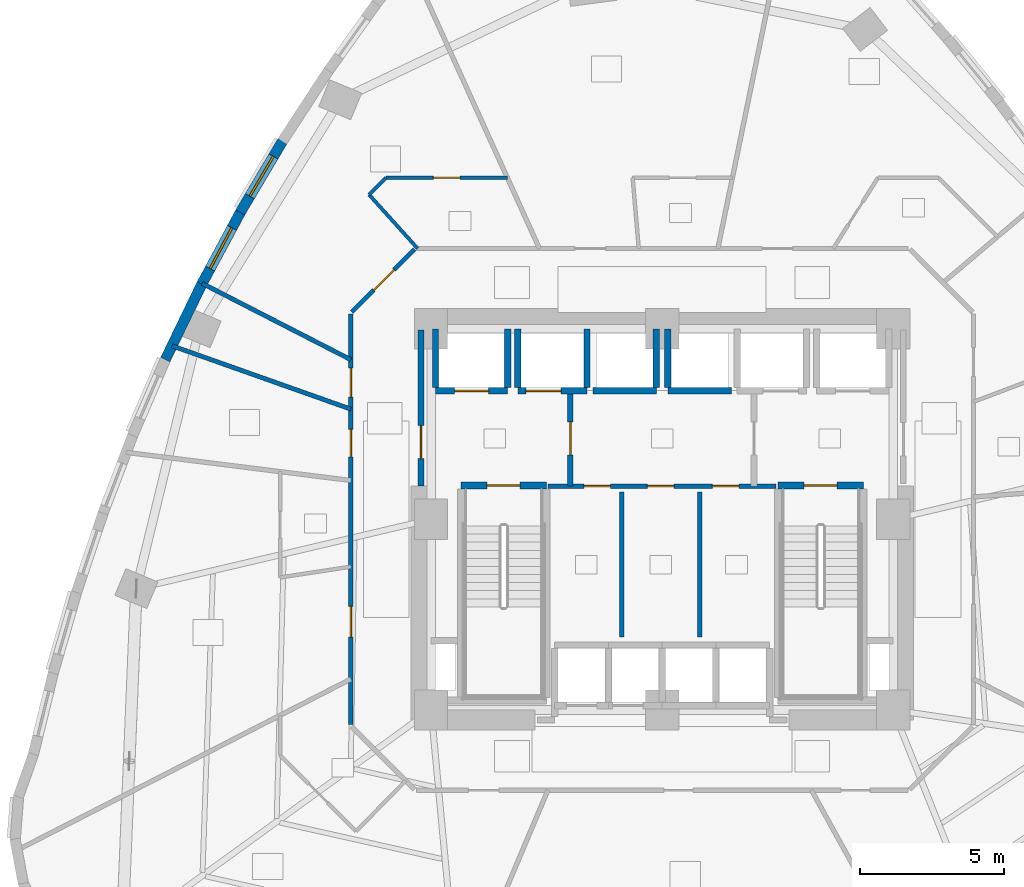
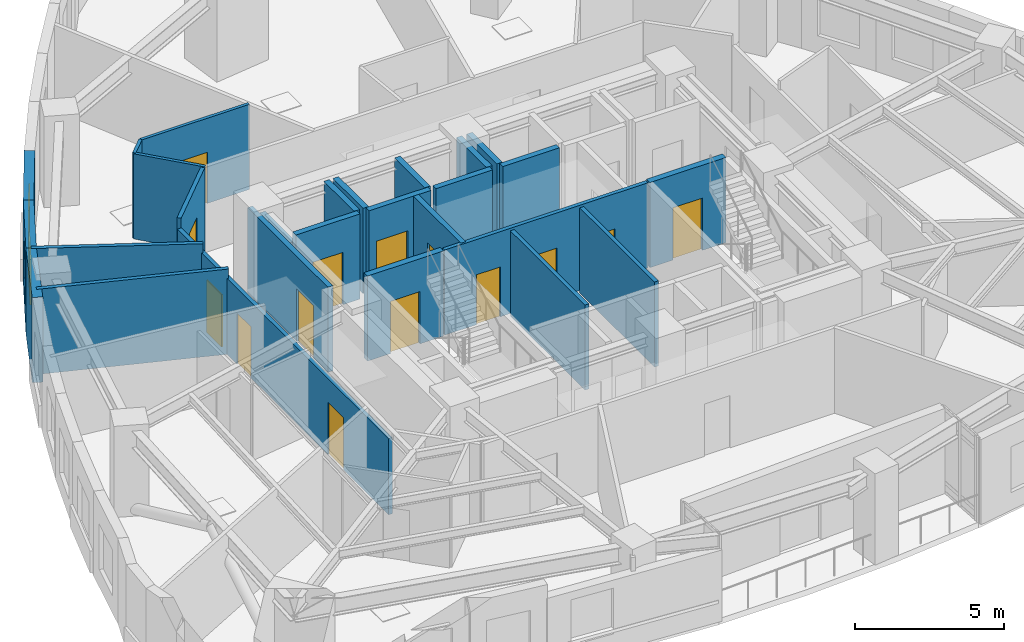
# One storey, part 6 of 11: 27 walls, 14 doors, 2 windows, 16 openings.
"""IFC4 building model written with IfcOpenShell, lengths in metres."""

from ifc_helpers import new_model, si_unit, direction, frame, frame_2d, origin, place, context, subcontext, project, spatial, rectangle, extrude, material, layer, layer_set, type_object, element, fill, save


model = new_model("IFC4")

# Units and contexts
model_context = context("Model", 3, precision=1e-05, world=origin(), true_north=direction((0.0, 1.0)))
body_context = subcontext(model_context, "Body", "Model", "MODEL_VIEW")
ifc_project = project(units=[si_unit("LENGTHUNIT", "METRE"), si_unit("AREAUNIT", "SQUARE_METRE"), si_unit("VOLUMEUNIT", "CUBIC_METRE"), si_unit("PLANEANGLEUNIT", "RADIAN"), si_unit("MASSUNIT", "GRAM", prefix="KILO")], contexts=[model_context])

# Site, building, storey
site_placement = place(None, origin())
site = spatial("IfcSite", under=ifc_project, at=site_placement, CompositionType="ELEMENT")
building_placement = place(site_placement, origin())
building = spatial("IfcBuilding", under=site, at=building_placement, Name="Ndelora Gate Hotel", CompositionType="ELEMENT")
storey_placement = place(building_placement, frame((0.0, 0.0, 49.25)))
storey = spatial("IfcBuildingStorey", under=building, at=storey_placement, Name="L11", CompositionType="ELEMENT", Elevation=49.25)

# Wall, opening, window
ifc_material_1 = material(Name="Clay Brick Masonry", Category="masonry")
ifc_layer_1 = layer(ifc_material_1, 0.360107421875)
ifc_layer_set_1 = layer_set([ifc_layer_1], Name="Clay Brick Masonry")
wall_type_1 = type_object("IfcWallType", Name="WL-BRICK-360", PredefinedType="SOLIDWALL", material=ifc_layer_set_1)
wall_1_placement = place(storey_placement, frame((-14.61279296875, 10.62646484375, 0.0), z_axis=(0.0, 0.0, 1.0), x_axis=(0.510091648533, 0.86012005563, 0.0)))
wall_1 = element("IfcWall", 1, at=wall_1_placement, inside=storey, type_object=wall_type_1, Name="L11 Tower Brick Pier-and-Spandrel Wall TWR-13", PredefinedType="SOLIDWALL", context=body_context, shape_type="SweptSolid", body=[
    extrude(rectangle(XDim=2.914794921875, YDim=0.360107421875, at=frame_2d((1.45751953125, 0.0))), origin(), (0.0, 0.0, 1.0), 3.5),
])
opening_1_placement = place(wall_1_placement, frame((0.657470703125, 0.0, 0.719970703125)))
opening_1 = element("IfcOpeningElement", 2, at=opening_1_placement, cuts=wall_1, Name="Opening W03", PredefinedType="OPENING", context=body_context, shape_type="SweptSolid", body=[
    extrude(rectangle(XDim=1.60009765625, YDim=1.8798828125, at=frame_2d((0.800048828125, 0.93994140625))), frame((0.0, 0.18994140625, 0.0), z_axis=(0.0, -1.0, 0.0), x_axis=(1.0, 0.0, 0.0)), (0.0, 0.0, 1.0), 0.380126953125),
])
ifc_material_2 = material(Name="Insulated Low-E Double Glazing in Bronze Aluminium Frame", Category="aluminium")
window_type_1 = type_object("IfcWindowType", Name="WN-CORN-2100", PartitioningType="SINGLE_PANEL", PredefinedType="WINDOW", material=ifc_material_2)
window_1_placement = place(opening_1_placement, origin())
window_1 = element("IfcWindow", 3, at=window_1_placement, inside=storey, type_object=window_type_1, Name="L11 Deep-Set Brick-Pier Window W03", OverallHeight=1.8798828125, OverallWidth=1.60009765625, PartitioningType="SINGLE_PANEL", PredefinedType="WINDOW", context=body_context, shape_type="SweptSolid", body=[
    extrude(rectangle(XDim=1.60009765625, YDim=1.8798828125, at=frame_2d((0.800048828125, 0.93994140625))), frame((0.0, 0.030029296875, 0.0), z_axis=(0.0, -1.0, 0.0), x_axis=(1.0, 0.0, 0.0)), (0.0, 0.0, 1.0), 0.06005859375),
])
fill(opening_1, window_1)

wall_2_placement = place(storey_placement, frame((-15.96435546875, 8.106201171875, 0.0), z_axis=(0.0, 0.0, 1.0), x_axis=(0.472903509286, 0.881114221259, 0.0)))
wall_2 = element("IfcWall", 4, at=wall_2_placement, inside=storey, type_object=wall_type_1, Name="L11 Tower Brick Pier-and-Spandrel Wall TWR-14", PredefinedType="SOLIDWALL", context=body_context, shape_type="SweptSolid", body=[
    extrude(rectangle(XDim=2.90966796875, YDim=0.360107421875, at=frame_2d((1.454833984375, 0.0))), origin(), (0.0, 0.0, 1.0), 3.5),
])
opening_2_placement = place(wall_2_placement, frame((0.65478515625, 0.0, 0.719970703125)))
opening_2 = element("IfcOpeningElement", 5, at=opening_2_placement, cuts=wall_2, Name="Opening W01", PredefinedType="OPENING", context=body_context, shape_type="SweptSolid", body=[
    extrude(rectangle(XDim=1.60009765625, YDim=1.8798828125, at=frame_2d((0.800048828125, 0.93994140625))), frame((0.0, 0.18994140625, 0.0), z_axis=(0.0, -1.0, 0.0), x_axis=(1.0, 0.0, 0.0)), (0.0, 0.0, 1.0), 0.380126953125),
])
window_type_2 = type_object("IfcWindowType", Name="WN-DEEP-1600", PartitioningType="SINGLE_PANEL", PredefinedType="WINDOW", material=ifc_material_2)
window_2_placement = place(opening_2_placement, origin())
window_2 = element("IfcWindow", 6, at=window_2_placement, inside=storey, type_object=window_type_2, Name="L11 Deep-Set Brick-Pier Window W01", OverallHeight=1.8798828125, OverallWidth=1.60009765625, PartitioningType="SINGLE_PANEL", PredefinedType="WINDOW", context=body_context, shape_type="SweptSolid", body=[
    extrude(rectangle(XDim=1.60009765625, YDim=1.8798828125, at=frame_2d((0.800048828125, 0.93994140625))), frame((0.0, 0.030029296875, 0.0), z_axis=(0.0, -1.0, 0.0), x_axis=(1.0, 0.0, 0.0)), (0.0, 0.0, 1.0), 0.06005859375),
])
fill(opening_2, window_2)

# Wall
wall_3_placement = place(storey_placement, frame((-17.206787109375, 5.530517578125, 0.0), z_axis=(0.0, 0.0, 1.0), x_axis=(0.434819461164, 0.900517649018, 0.0)))
element("IfcWall", 7, at=wall_3_placement, inside=storey, type_object=wall_type_1, Name="L11 Tower Brick Pier-and-Spandrel Wall TWR-15", PredefinedType="SOLIDWALL", context=body_context, shape_type="SweptSolid", body=[
    extrude(rectangle(XDim=2.90966796875, YDim=0.360107421875, at=frame_2d((1.454833984375, 0.0))), origin(), (0.0, 0.0, 1.0), 3.5),
])

# Wall, opening, door
ifc_material_3 = material(Name="Concrete C40/50", Category="concrete")
ifc_layer_2 = layer(ifc_material_3, 0.199951171875)
ifc_layer_set_2 = layer_set([ifc_layer_2], Name="Concrete C40/50")
wall_type_2 = type_object("IfcWallType", Name="WL-FIRE-200", PredefinedType="PARTITIONING", material=ifc_layer_set_2)
wall_4_placement = place(storey_placement, frame((-3.179931640625, 1.14990234375, 0.0), z_axis=(0.0, 0.0, 1.0), x_axis=(0.0, 1.0, 0.0)))
wall_4 = element("IfcWall", 8, at=wall_4_placement, inside=storey, type_object=wall_type_2, Name="L11 Interior Wall IW-2", PredefinedType="PARTITIONING", context=body_context, shape_type="SweptSolid", body=[
    extrude(rectangle(XDim=3.300048828125, YDim=0.199951171875, at=frame_2d((1.64990234375, 0.0))), origin(), (0.0, 0.0, 1.0), 3.5),
])
opening_3_placement = place(wall_4_placement, frame((1.080078125, 0.0, 0.0)))
opening_3 = element("IfcOpeningElement", 9, at=opening_3_placement, cuts=wall_4, Name="Opening FD1", PredefinedType="OPENING", context=body_context, shape_type="SweptSolid", body=[
    extrude(rectangle(XDim=1.14990234375, YDim=2.14990234375, at=frame_2d((0.574951171875, 1.074951171875))), frame((0.0, 0.10986328125, 0.0), z_axis=(0.0, -1.0, 0.0), x_axis=(1.0, 0.0, 0.0)), (0.0, 0.0, 1.0), 0.219970703125),
])
ifc_material_4 = material(Name="Fire-Rated Timber-Veneer Steel Core", Category="steel")
door_type_1 = type_object("IfcDoorType", Name="DR-FD60", OperationType="SINGLE_SWING_LEFT", PredefinedType="DOOR", material=ifc_material_4)
door_1_placement = place(opening_3_placement, origin())
door_1 = element("IfcDoor", 10, at=door_1_placement, inside=storey, type_object=door_type_1, Name="L11 Firefighting Lobby West Door", OperationType="SINGLE_SWING_RIGHT", OverallHeight=2.14990234375, OverallWidth=1.14990234375, PredefinedType="DOOR", context=body_context, shape_type="SweptSolid", body=[
    extrude(rectangle(XDim=1.14990234375, YDim=2.14990234375, at=frame_2d((0.574951171875, 1.074951171875))), frame((0.0, 0.02490234375, 0.0), z_axis=(0.0, -1.0, 0.0), x_axis=(1.0, 0.0, 0.0)), (0.0, 0.0, 1.0), 0.050048828125),
])
fill(opening_3, door_1)

wall_5_placement = place(storey_placement, frame((-8.35009765625, 1.14990234375, 0.0), z_axis=(0.0, 0.0, 1.0), x_axis=(0.0, 1.0, 0.0)))
wall_5 = element("IfcWall", 11, at=wall_5_placement, inside=storey, type_object=wall_type_2, Name="L11 Interior Wall IW-2", PredefinedType="PARTITIONING", context=body_context, shape_type="SweptSolid", body=[
    extrude(rectangle(XDim=5.400146484375, YDim=0.199951171875, at=frame_2d((2.7001953125, 0.0))), origin(), (0.0, 0.0, 1.0), 3.5),
])
opening_4_placement = place(wall_5_placement, frame((0.949951171875, 0.0, 0.0)))
opening_4 = element("IfcOpeningElement", 12, at=opening_4_placement, cuts=wall_5, Name="Opening FD1", PredefinedType="OPENING", context=body_context, shape_type="SweptSolid", body=[
    extrude(rectangle(XDim=1.14990234375, YDim=2.14990234375, at=frame_2d((0.574951171875, 1.074951171875))), frame((0.0, 0.10986328125, 0.0), z_axis=(0.0, -1.0, 0.0), x_axis=(1.0, 0.0, 0.0)), (0.0, 0.0, 1.0), 0.219970703125),
])
door_2_placement = place(opening_4_placement, origin())
door_2 = element("IfcDoor", 13, at=door_2_placement, inside=storey, type_object=door_type_1, Name="L11 Firefighting Lobby West Corridor Door", OperationType="SINGLE_SWING_LEFT", OverallHeight=2.14990234375, OverallWidth=1.14990234375, PredefinedType="DOOR", context=body_context, shape_type="SweptSolid", body=[
    extrude(rectangle(XDim=1.14990234375, YDim=2.14990234375, at=frame_2d((0.574951171875, 1.074951171875))), frame((0.0, 0.02490234375, 0.0), z_axis=(0.0, -1.0, 0.0), x_axis=(1.0, 0.0, 0.0)), (0.0, 0.0, 1.0), 0.050048828125),
])
fill(opening_4, door_2)

# Wall, openings, doors
ifc_material_5 = material(Name="Fire-Rated Gypsum Stud Partition", Category="gypsum")
ifc_layer_3 = layer(ifc_material_5, 0.14990234375)
ifc_layer_set_3 = layer_set([ifc_layer_3], Name="Fire-Rated Gypsum Stud Partition")
wall_type_3 = type_object("IfcWallType", Name="WL-PART-150", PredefinedType="PARTITIONING", material=ifc_layer_set_3)
wall_6_placement = place(storey_placement, frame((3.949951171875, 1.14990234375, 0.0), z_axis=(0.0, 0.0, 1.0), x_axis=(-1.0, 0.0, 0.0)))
wall_6 = element("IfcWall", 14, at=wall_6_placement, inside=storey, type_object=wall_type_3, Name="L11 Interior Wall IW-5", PredefinedType="PARTITIONING", context=body_context, shape_type="SweptSolid", body=[
    extrude(rectangle(XDim=7.89990234375, YDim=0.14990234375, at=frame_2d((3.949951171875, 0.0))), origin(), (0.0, 0.0, 1.0), 3.5),
])
opening_5_placement = place(wall_6_placement, frame((5.739990234375, 0.0, 0.0)))
opening_5 = element("IfcOpeningElement", 15, at=opening_5_placement, cuts=wall_6, Name="Opening D04", PredefinedType="OPENING", context=body_context, shape_type="SweptSolid", body=[
    extrude(rectangle(XDim=0.919921875, YDim=2.050048828125, at=frame_2d((0.4599609375, 1.02490234375))), frame((0.0, 0.0849609375, 0.0), z_axis=(0.0, -1.0, 0.0), x_axis=(1.0, 0.0, 0.0)), (0.0, 0.0, 1.0), 0.169921875),
])
opening_6_placement = place(wall_6_placement, frame((3.5400390625, 0.0, 0.0)))
opening_6 = element("IfcOpeningElement", 16, at=opening_6_placement, cuts=wall_6, Name="Opening D04", PredefinedType="OPENING", context=body_context, shape_type="SweptSolid", body=[
    extrude(rectangle(XDim=0.919921875, YDim=2.050048828125, at=frame_2d((0.4599609375, 1.02490234375))), frame((0.0, 0.0849609375, 0.0), z_axis=(0.0, -1.0, 0.0), x_axis=(1.0, 0.0, 0.0)), (0.0, 0.0, 1.0), 0.169921875),
])
opening_7_placement = place(wall_6_placement, frame((1.2900390625, 0.0, 0.0)))
opening_7 = element("IfcOpeningElement", 17, at=opening_7_placement, cuts=wall_6, Name="Opening D04", PredefinedType="OPENING", context=body_context, shape_type="SweptSolid", body=[
    extrude(rectangle(XDim=0.919921875, YDim=2.050048828125, at=frame_2d((0.4599609375, 1.02490234375))), frame((0.0, 0.0849609375, 0.0), z_axis=(0.0, -1.0, 0.0), x_axis=(1.0, 0.0, 0.0)), (0.0, 0.0, 1.0), 0.169921875),
])
ifc_material_6 = material(Name="Painted Steel Core Service Door", Category="steel")
door_type_2 = type_object("IfcDoorType", Name="DR-SER-920", OperationType="SINGLE_SWING_LEFT", PredefinedType="DOOR", material=ifc_material_6)
door_3_placement = place(opening_5_placement, origin())
door_3 = element("IfcDoor", 18, at=door_3_placement, inside=storey, type_object=door_type_2, Name="L11 Core Cleaners Store Door", OperationType="SINGLE_SWING_LEFT", OverallHeight=2.050048828125, OverallWidth=0.919921875, PredefinedType="DOOR", context=body_context, shape_type="SweptSolid", body=[
    extrude(rectangle(XDim=0.919921875, YDim=2.050048828125, at=frame_2d((0.4599609375, 1.02490234375))), frame((0.0, 0.02490234375, 0.0), z_axis=(0.0, -1.0, 0.0), x_axis=(1.0, 0.0, 0.0)), (0.0, 0.0, 1.0), 0.050048828125),
])
fill(opening_5, door_3)
door_4_placement = place(opening_6_placement, origin())
door_4 = element("IfcDoor", 19, at=door_4_placement, inside=storey, type_object=door_type_2, Name="L11 Core Telecoms Equipment Room Door", OperationType="SINGLE_SWING_RIGHT", OverallHeight=2.050048828125, OverallWidth=0.919921875, PredefinedType="DOOR", context=body_context, shape_type="SweptSolid", body=[
    extrude(rectangle(XDim=0.919921875, YDim=2.050048828125, at=frame_2d((0.4599609375, 1.02490234375))), frame((0.0, 0.02490234375, 0.0), z_axis=(0.0, -1.0, 0.0), x_axis=(1.0, 0.0, 0.0)), (0.0, 0.0, 1.0), 0.050048828125),
])
fill(opening_6, door_4)
door_5_placement = place(opening_7_placement, origin())
door_5 = element("IfcDoor", 20, at=door_5_placement, inside=storey, type_object=door_type_2, Name="L11 Core Electrical Metering Room Door", OperationType="SINGLE_SWING_LEFT", OverallHeight=2.050048828125, OverallWidth=0.919921875, PredefinedType="DOOR", context=body_context, shape_type="SweptSolid", body=[
    extrude(rectangle(XDim=0.919921875, YDim=2.050048828125, at=frame_2d((0.4599609375, 1.02490234375))), frame((0.0, 0.02490234375, 0.0), z_axis=(0.0, -1.0, 0.0), x_axis=(1.0, 0.0, 0.0)), (0.0, 0.0, 1.0), 0.050048828125),
])
fill(opening_7, door_5)

# Walls
for number, where, z_axis, x_axis, name in (
    (21, (-1.39990234375, -4.080078125, 0.0), (0.0, 0.0, 1.0), (0.0, 1.0, 0.0), "L11 Interior Wall IW-5"),
    (22, (1.300048828125, -4.080078125, 0.0), (0.0, 0.0, 1.0), (0.0, 1.0, 0.0), "L11 Interior Wall IW-5"),
):
    element("IfcWall", number, at=place(storey_placement, frame(where, z_axis=z_axis, x_axis=x_axis)), inside=storey, type_object=wall_type_3, Name=name, PredefinedType="PARTITIONING", context=body_context, shape_type="SweptSolid", body=[
        extrude(rectangle(XDim=5.030029296875, YDim=0.14990234375, at=frame_2d((2.51513671875, 0.0))), origin(), (0.0, 0.0, 1.0), 3.5),
    ])

# Wall, opening, door
wall_7_placement = place(storey_placement, frame((-10.751708984375, 7.17822265625, 0.0), z_axis=(0.0, 0.0, 1.0), x_axis=(0.707067066127, 0.707146494016, 0.0)))
wall_7 = element("IfcWall", 23, at=wall_7_placement, inside=storey, type_object=wall_type_3, Name="L11 Interior Wall IW-5", PredefinedType="PARTITIONING", context=body_context, shape_type="SweptSolid", body=[
    extrude(rectangle(XDim=3.07373046875, YDim=0.14990234375, at=frame_2d((1.536865234375, 0.0))), origin(), (0.0, 0.0, 1.0), 3.5),
])
opening_8_placement = place(wall_7_placement, frame((1.076904296875, 0.0, 0.0)))
opening_8 = element("IfcOpeningElement", 24, at=opening_8_placement, cuts=wall_7, Name="Opening D01", PredefinedType="OPENING", context=body_context, shape_type="SweptSolid", body=[
    extrude(rectangle(XDim=1.0, YDim=2.14990234375, at=frame_2d((0.5, 1.074951171875))), frame((0.0, 0.0849609375, 0.0), z_axis=(0.0, -1.0, 0.0), x_axis=(1.0, 0.0, 0.0)), (0.0, 0.0, 1.0), 0.169921875),
])
ifc_material_7 = material(Name="Acoustic Hardwood Guest Entrance Door", Category="wood")
door_type_3 = type_object("IfcDoorType", Name="DR-COR-1000", OperationType="SINGLE_SWING_LEFT", PredefinedType="DOOR", material=ifc_material_7)
door_6_placement = place(opening_8_placement, origin())
door_6 = element("IfcDoor", 25, at=door_6_placement, inside=storey, type_object=door_type_3, Name="L11 Superior Double Guest Room 1406 Entrance Door", OperationType="SINGLE_SWING_LEFT", OverallHeight=2.14990234375, OverallWidth=1.0, PredefinedType="DOOR", context=body_context, shape_type="SweptSolid", body=[
    extrude(rectangle(XDim=1.0, YDim=2.14990234375, at=frame_2d((0.5, 1.074951171875))), frame((0.0, 0.02490234375, 0.0), z_axis=(0.0, -1.0, 0.0), x_axis=(1.0, 0.0, 0.0)), (0.0, 0.0, 1.0), 0.050048828125),
])
fill(opening_8, door_6)

# Wall, openings, doors
wall_8_placement = place(storey_placement, frame((-10.780029296875, -7.110107421875, 0.0), z_axis=(0.0, 0.0, 1.0), x_axis=(0.0, 1.0, 0.0)))
wall_8 = element("IfcWall", 26, at=wall_8_placement, inside=storey, type_object=wall_type_3, Name="L11 Interior Wall IW-5", PredefinedType="PARTITIONING", context=body_context, shape_type="SweptSolid", body=[
    extrude(rectangle(XDim=14.22021484375, YDim=0.14990234375, at=frame_2d((7.110107421875, 0.0))), origin(), (0.0, 0.0, 1.0), 3.1201171875),
])
opening_9_placement = place(wall_8_placement, frame((11.343505859375, 0.0, 0.0)))
opening_9 = element("IfcOpeningElement", 27, at=opening_9_placement, cuts=wall_8, Name="Opening D01", PredefinedType="OPENING", context=body_context, shape_type="SweptSolid", body=[
    extrude(rectangle(XDim=1.0, YDim=2.14990234375, at=frame_2d((0.5, 1.074951171875))), frame((0.0, 0.0849609375, 0.0), z_axis=(0.0, -1.0, 0.0), x_axis=(1.0, 0.0, 0.0)), (0.0, 0.0, 1.0), 0.169921875),
])
opening_10_placement = place(wall_8_placement, frame((9.2724609375, 0.0, 0.0)))
opening_10 = element("IfcOpeningElement", 28, at=opening_10_placement, cuts=wall_8, Name="Opening D05", PredefinedType="OPENING", context=body_context, shape_type="SweptSolid", body=[
    extrude(rectangle(XDim=0.949951171875, YDim=2.10009765625, at=frame_2d((0.47509765625, 1.050048828125))), frame((0.0, 0.0849609375, 0.0), z_axis=(0.0, -1.0, 0.0), x_axis=(1.0, 0.0, 0.0)), (0.0, 0.0, 1.0), 0.169921875),
])
opening_11_placement = place(wall_8_placement, frame((3.035400390625, 0.0, 0.0)))
opening_11 = element("IfcOpeningElement", 29, at=opening_11_placement, cuts=wall_8, Name="Opening D07", PredefinedType="OPENING", context=body_context, shape_type="SweptSolid", body=[
    extrude(rectangle(XDim=1.06005859375, YDim=2.14990234375, at=frame_2d((0.530029296875, 1.074951171875))), frame((0.0, 0.0849609375, 0.0), z_axis=(0.0, -1.0, 0.0), x_axis=(1.0, 0.0, 0.0)), (0.0, 0.0, 1.0), 0.169921875),
])
ifc_material_8 = material(Name="Accessible Restroom Wide-Clearance Door", Category="wood")
door_type_4 = type_object("IfcDoorType", Name="DR-ACC-950", OperationType="SINGLE_SWING_LEFT", PredefinedType="DOOR", material=ifc_material_8)
door_7_placement = place(opening_10_placement, origin())
door_7 = element("IfcDoor", 30, at=door_7_placement, inside=storey, type_object=door_type_4, Name="L11 Accessible WC Entrance Door", OperationType="SINGLE_SWING_LEFT", OverallHeight=2.10009765625, OverallWidth=0.949951171875, PredefinedType="DOOR", context=body_context, shape_type="SweptSolid", body=[
    extrude(rectangle(XDim=0.949951171875, YDim=2.10009765625, at=frame_2d((0.47509765625, 1.050048828125))), frame((0.0, 0.02490234375, 0.0), z_axis=(0.0, -1.0, 0.0), x_axis=(1.0, 0.0, 0.0)), (0.0, 0.0, 1.0), 0.050048828125),
])
fill(opening_10, door_7)
door_8_placement = place(opening_9_placement, origin())
door_8 = element("IfcDoor", 31, at=door_8_placement, inside=storey, type_object=door_type_3, Name="L11 Housekeeping and Linen Room Entrance Door", OperationType="SINGLE_SWING_RIGHT", OverallHeight=2.14990234375, OverallWidth=1.0, PredefinedType="DOOR", context=body_context, shape_type="SweptSolid", body=[
    extrude(rectangle(XDim=1.0, YDim=2.14990234375, at=frame_2d((0.5, 1.074951171875))), frame((0.0, 0.02490234375, 0.0), z_axis=(0.0, -1.0, 0.0), x_axis=(1.0, 0.0, 0.0)), (0.0, 0.0, 1.0), 0.050048828125),
])
fill(opening_9, door_8)
ifc_material_9 = material(Name="Diplomatic Suite Acoustic Entrance Door", Category="wood")
door_type_5 = type_object("IfcDoorType", Name="DR-SUITE-1060", OperationType="SINGLE_SWING_LEFT", PredefinedType="DOOR", material=ifc_material_9)
door_9_placement = place(opening_11_placement, origin())
door_9 = element("IfcDoor", 32, at=door_9_placement, inside=storey, type_object=door_type_5, Name="L11 Executive King Junior Suite 1401 Entrance Door", OperationType="SINGLE_SWING_RIGHT", OverallHeight=2.14990234375, OverallWidth=1.06005859375, PredefinedType="DOOR", context=body_context, shape_type="SweptSolid", body=[
    extrude(rectangle(XDim=1.06005859375, YDim=2.14990234375, at=frame_2d((0.530029296875, 1.074951171875))), frame((0.0, 0.02490234375, 0.0), z_axis=(0.0, -1.0, 0.0), x_axis=(1.0, 0.0, 0.0)), (0.0, 0.0, 1.0), 0.050048828125),
])
fill(opening_11, door_9)

# Walls
wall_9_placement = place(storey_placement, frame((-10.780029296875, 5.529541015625, 0.0), z_axis=(0.0, 0.0, 1.0), x_axis=(-0.889781886096, 0.456386015535, 0.0)))
element("IfcWall", 33, at=wall_9_placement, inside=storey, type_object=wall_type_3, Name="L11 Interior Wall IW-5", PredefinedType="PARTITIONING", context=body_context, shape_type="SweptSolid", body=[
    extrude(rectangle(XDim=5.78759765625, YDim=0.14990234375, at=frame_2d((2.893798828125, 0.0))), origin(), (0.0, 0.0, 1.0), 3.5),
])
wall_10_placement = place(storey_placement, frame((-10.780029296875, 3.8173828125, 0.0), z_axis=(0.0, 0.0, 1.0), x_axis=(-0.942646221325, 0.333793501167, 0.0)))
element("IfcWall", 34, at=wall_10_placement, inside=storey, type_object=wall_type_3, Name="L11 Interior Wall IW-5", PredefinedType="PARTITIONING", context=body_context, shape_type="SweptSolid", body=[
    extrude(rectangle(XDim=6.57177734375, YDim=0.14990234375, at=frame_2d((3.285888671875, 0.0))), origin(), (0.0, 0.0, 1.0), 3.5),
])

# Wall, opening, door
ifc_layer_4 = layer(ifc_material_3, 0.219970703125)
ifc_layer_set_4 = layer_set([ifc_layer_4], Name="Concrete C40/50")
wall_type_4 = type_object("IfcWallType", Name="WL-SHAFT-220", PredefinedType="PARTITIONING", material=ifc_layer_set_4)
wall_11_placement = place(storey_placement, frame((-7.85009765625, 4.449951171875, 0.0), z_axis=(0.0, 0.0, 1.0), x_axis=(1.0, 0.0, 0.0)))
wall_11 = element("IfcWall", 35, at=wall_11_placement, inside=storey, type_object=wall_type_4, Name="L11 Interior Wall IW-1", PredefinedType="PARTITIONING", context=body_context, shape_type="SweptSolid", body=[
    extrude(rectangle(XDim=2.5, YDim=0.219970703125, at=frame_2d((1.25, 0.0))), origin(), (0.0, 0.0, 1.0), 3.5),
])
opening_12_placement = place(wall_11_placement, frame((0.659912109375, 0.0, 0.0)))
opening_12 = element("IfcOpeningElement", 36, at=opening_12_placement, cuts=wall_11, Name="Opening LD5", PredefinedType="OPENING", context=body_context, shape_type="SweptSolid", body=[
    extrude(rectangle(XDim=1.179931640625, YDim=2.14990234375, at=frame_2d((0.58984375, 1.074951171875))), frame((0.0, 0.1201171875, 0.0), z_axis=(0.0, -1.0, 0.0), x_axis=(1.0, 0.0, 0.0)), (0.0, 0.0, 1.0), 0.239990234375),
])
ifc_material_10 = material(Name="Firefighting Lift Stainless Sliding Landing Door", Category="metal")
door_type_6 = type_object("IfcDoorType", Name="DR-LD5", OperationType="DOUBLE_DOOR_SLIDING", PredefinedType="DOOR", material=ifc_material_10)
door_10_placement = place(opening_12_placement, origin())
door_10 = element("IfcDoor", 37, at=door_10_placement, inside=storey, type_object=door_type_6, Name="L11 Lift Landing Sliding Door FFL1", OperationType="DOUBLE_DOOR_SLIDING", OverallHeight=2.14990234375, OverallWidth=1.179931640625, PredefinedType="DOOR", context=body_context, shape_type="SweptSolid", body=[
    extrude(rectangle(XDim=1.179931640625, YDim=2.14990234375, at=frame_2d((0.58984375, 1.074951171875))), frame((0.0, 0.02490234375, 0.0), z_axis=(0.0, -1.0, 0.0), x_axis=(1.0, 0.0, 0.0)), (0.0, 0.0, 1.0), 0.050048828125),
])
fill(opening_12, door_10)

# Walls
wall_12_placement = place(storey_placement, frame((-7.85009765625, 4.570068359375, 0.0), z_axis=(0.0, 0.0, 1.0), x_axis=(0.0, 1.0, 0.0)))
element("IfcWall", 38, at=wall_12_placement, inside=storey, type_object=wall_type_4, Name="L11 Interior Wall IW-1", PredefinedType="PARTITIONING", context=body_context, shape_type="SweptSolid", body=[
    extrude(rectangle(XDim=2.030029296875, YDim=0.219970703125, at=frame_2d((1.01513671875, 0.0))), origin(), (0.0, 0.0, 1.0), 3.080078125),
])
wall_13_placement = place(storey_placement, frame((-5.35009765625, 4.570068359375, 0.0), z_axis=(0.0, 0.0, 1.0), x_axis=(0.0, 1.0, 0.0)))
element("IfcWall", 39, at=wall_13_placement, inside=storey, type_object=wall_type_4, Name="L11 Interior Wall IW-1", PredefinedType="PARTITIONING", context=body_context, shape_type="SweptSolid", body=[
    extrude(rectangle(XDim=2.030029296875, YDim=0.219970703125, at=frame_2d((1.01513671875, 0.0))), origin(), (0.0, 0.0, 1.0), 3.5),
])

# Wall, opening, door
wall_14_placement = place(storey_placement, frame((-5.0, 4.449951171875, 0.0), z_axis=(0.0, 0.0, 1.0), x_axis=(1.0, 0.0, 0.0)))
wall_14 = element("IfcWall", 40, at=wall_14_placement, inside=storey, type_object=wall_type_4, Name="L11 Interior Wall IW-1", PredefinedType="PARTITIONING", context=body_context, shape_type="SweptSolid", body=[
    extrude(rectangle(XDim=2.39990234375, YDim=0.219970703125, at=frame_2d((1.199951171875, 0.0))), origin(), (0.0, 0.0, 1.0), 3.5),
])
opening_13_placement = place(wall_14_placement, frame((0.280029296875, 0.0, 0.0)))
opening_13 = element("IfcOpeningElement", 41, at=opening_13_placement, cuts=wall_14, Name="Opening LD6", PredefinedType="OPENING", context=body_context, shape_type="SweptSolid", body=[
    extrude(rectangle(XDim=1.219970703125, YDim=2.14990234375, at=frame_2d((0.60986328125, 1.074951171875))), frame((0.0, 0.1201171875, 0.0), z_axis=(0.0, -1.0, 0.0), x_axis=(1.0, 0.0, 0.0)), (0.0, 0.0, 1.0), 0.239990234375),
])
ifc_material_11 = material(Name="Heavy-Duty Service Lift Sliding Landing Door", Category="wood")
door_type_7 = type_object("IfcDoorType", Name="DR-LD6", OperationType="DOUBLE_DOOR_SLIDING", PredefinedType="DOOR", material=ifc_material_11)
door_11_placement = place(opening_13_placement, origin())
door_11 = element("IfcDoor", 42, at=door_11_placement, inside=storey, type_object=door_type_7, Name="L11 Lift Landing Sliding Door SVL1", OperationType="DOUBLE_DOOR_SLIDING", OverallHeight=2.14990234375, OverallWidth=1.219970703125, PredefinedType="DOOR", context=body_context, shape_type="SweptSolid", body=[
    extrude(rectangle(XDim=1.219970703125, YDim=2.14990234375, at=frame_2d((0.60986328125, 1.074951171875))), frame((0.0, 0.02490234375, 0.0), z_axis=(0.0, -1.0, 0.0), x_axis=(1.0, 0.0, 0.0)), (0.0, 0.0, 1.0), 0.050048828125),
])
fill(opening_13, door_11)

# Walls
for number, where, z_axis, x_axis, name in (
    (43, (-5.0, 4.570068359375, 0.0), (0.0, 0.0, 1.0), (0.0, 1.0, 0.0), "L11 Interior Wall IW-1"),
    (44, (-2.60009765625, 4.570068359375, 0.0), (0.0, 0.0, 1.0), (0.0, 1.0, 0.0), "L11 Interior Wall IW-1"),
):
    element("IfcWall", number, at=place(storey_placement, frame(where, z_axis=z_axis, x_axis=x_axis)), inside=storey, type_object=wall_type_4, Name=name, PredefinedType="PARTITIONING", context=body_context, shape_type="SweptSolid", body=[
        extrude(rectangle(XDim=2.030029296875, YDim=0.219970703125, at=frame_2d((1.01513671875, 0.0))), origin(), (0.0, 0.0, 1.0), 3.5),
    ])
wall_15_placement = place(storey_placement, frame((-2.39990234375, 4.449951171875, 0.0), z_axis=(0.0, 0.0, 1.0), x_axis=(1.0, 0.0, 0.0)))
element("IfcWall", 45, at=wall_15_placement, inside=storey, type_object=wall_type_4, Name="L11 Interior Wall IW-1", PredefinedType="PARTITIONING", context=body_context, shape_type="SweptSolid", body=[
    extrude(rectangle(XDim=2.199951171875, YDim=0.219970703125, at=frame_2d((1.10009765625, 0.0))), origin(), (0.0, 0.0, 1.0), 3.5),
])
wall_16_placement = place(storey_placement, frame((-0.199951171875, 4.570068359375, 0.0), z_axis=(0.0, 0.0, 1.0), x_axis=(0.0, 1.0, 0.0)))
element("IfcWall", 46, at=wall_16_placement, inside=storey, type_object=wall_type_4, Name="L11 Interior Wall IW-1", PredefinedType="PARTITIONING", context=body_context, shape_type="SweptSolid", body=[
    extrude(rectangle(XDim=2.030029296875, YDim=0.219970703125, at=frame_2d((1.01513671875, 0.0))), origin(), (0.0, 0.0, 1.0), 3.5),
])
wall_17_placement = place(storey_placement, frame((0.199951171875, 4.449951171875, 0.0), z_axis=(0.0, 0.0, 1.0), x_axis=(1.0, 0.0, 0.0)))
element("IfcWall", 47, at=wall_17_placement, inside=storey, type_object=wall_type_4, Name="L11 Interior Wall IW-1", PredefinedType="PARTITIONING", context=body_context, shape_type="SweptSolid", body=[
    extrude(rectangle(XDim=2.199951171875, YDim=0.219970703125, at=frame_2d((1.10009765625, 0.0))), origin(), (0.0, 0.0, 1.0), 3.5),
])
wall_18_placement = place(storey_placement, frame((0.199951171875, 4.570068359375, 0.0), z_axis=(0.0, 0.0, 1.0), x_axis=(0.0, 1.0, 0.0)))
element("IfcWall", 48, at=wall_18_placement, inside=storey, type_object=wall_type_4, Name="L11 Interior Wall IW-1", PredefinedType="PARTITIONING", context=body_context, shape_type="SweptSolid", body=[
    extrude(rectangle(XDim=2.030029296875, YDim=0.219970703125, at=frame_2d((1.01513671875, 0.0))), origin(), (0.0, 0.0, 1.0), 3.5),
])

# Wall, opening, door
ifc_material_12 = material(Name="Concrete C50/60", Category="concrete")
ifc_layer_5 = layer(ifc_material_12, 0.239990234375)
ifc_layer_set_5 = layer_set([ifc_layer_5], Name="Concrete C50/60")
wall_type_5 = type_object("IfcWallType", Name="WL-STAIR-240", PredefinedType="SHEAR", material=ifc_layer_set_5)
wall_19_placement = place(storey_placement, frame((-6.969970703125, 1.169921875, 0.0), z_axis=(0.0, 0.0, 1.0), x_axis=(1.0, 0.0, 0.0)))
wall_19 = element("IfcWall", 49, at=wall_19_placement, inside=storey, type_object=wall_type_5, Name="L11 Stair Core Shear Wall SW-ST", PredefinedType="SHEAR", context=body_context, shape_type="SweptSolid", body=[
    extrude(rectangle(XDim=2.9599609375, YDim=0.239990234375, at=frame_2d((1.47998046875, 0.0))), origin(), (0.0, 0.0, 1.0), 3.5),
])
opening_14_placement = place(wall_19_placement, frame((0.89990234375, 0.0, 0.0)))
opening_14 = element("IfcOpeningElement", 50, at=opening_14_placement, cuts=wall_19, Name="Opening FD1", PredefinedType="OPENING", context=body_context, shape_type="SweptSolid", body=[
    extrude(rectangle(XDim=1.14990234375, YDim=2.14990234375, at=frame_2d((0.574951171875, 1.074951171875))), frame((0.0, 0.1298828125, 0.0), z_axis=(0.0, -1.0, 0.0), x_axis=(1.0, 0.0, 0.0)), (0.0, 0.0, 1.0), 0.260009765625),
])
door_12_placement = place(opening_14_placement, origin())
door_12 = element("IfcDoor", 51, at=door_12_placement, inside=storey, type_object=door_type_1, Name="L11 Exit Stair ST4 Door", OperationType="SINGLE_SWING_LEFT", OverallHeight=2.14990234375, OverallWidth=1.14990234375, PredefinedType="DOOR", context=body_context, shape_type="SweptSolid", body=[
    extrude(rectangle(XDim=1.14990234375, YDim=2.14990234375, at=frame_2d((0.574951171875, 1.074951171875))), frame((0.0, 0.02490234375, 0.0), z_axis=(0.0, -1.0, 0.0), x_axis=(1.0, 0.0, 0.0)), (0.0, 0.0, 1.0), 0.050048828125),
])
fill(opening_14, door_12)

wall_20_placement = place(storey_placement, frame((4.010009765625, 1.169921875, 0.0), z_axis=(0.0, 0.0, 1.0), x_axis=(1.0, 0.0, 0.0)))
wall_20 = element("IfcWall", 52, at=wall_20_placement, inside=storey, type_object=wall_type_5, Name="L11 Stair Core Shear Wall SW-ST", PredefinedType="SHEAR", context=body_context, shape_type="SweptSolid", body=[
    extrude(rectangle(XDim=2.9599609375, YDim=0.239990234375, at=frame_2d((1.47998046875, 0.0))), origin(), (0.0, 0.0, 1.0), 3.5),
])
opening_15_placement = place(wall_20_placement, frame((0.89990234375, 0.0, 0.0)))
opening_15 = element("IfcOpeningElement", 53, at=opening_15_placement, cuts=wall_20, Name="Opening FD1", PredefinedType="OPENING", context=body_context, shape_type="SweptSolid", body=[
    extrude(rectangle(XDim=1.14990234375, YDim=2.14990234375, at=frame_2d((0.574951171875, 1.074951171875))), frame((0.0, 0.1298828125, 0.0), z_axis=(0.0, -1.0, 0.0), x_axis=(1.0, 0.0, 0.0)), (0.0, 0.0, 1.0), 0.260009765625),
])
door_13_placement = place(opening_15_placement, origin())
door_13 = element("IfcDoor", 54, at=door_13_placement, inside=storey, type_object=door_type_1, Name="L11 Exit Stair ST5 Door", OperationType="SINGLE_SWING_RIGHT", OverallHeight=2.14990234375, OverallWidth=1.14990234375, PredefinedType="DOOR", context=body_context, shape_type="SweptSolid", body=[
    extrude(rectangle(XDim=1.14990234375, YDim=2.14990234375, at=frame_2d((0.574951171875, 1.074951171875))), frame((0.0, 0.02490234375, 0.0), z_axis=(0.0, -1.0, 0.0), x_axis=(1.0, 0.0, 0.0)), (0.0, 0.0, 1.0), 0.050048828125),
])
fill(opening_15, door_13)

# Walls
ifc_material_13 = material(Name="Moisture-Resistant Bathroom Tile Partition", Category="gypsum")
ifc_layer_6 = layer(ifc_material_13, 0.1201171875)
ifc_layer_set_6 = layer_set([ifc_layer_6], Name="Moisture-Resistant Bathroom Tile Partition")
wall_type_6 = type_object("IfcWallType", Name="WL-WET-120", PredefinedType="PARTITIONING", material=ifc_layer_set_6)
wall_21_placement = place(storey_placement, frame((-10.150146484375, 11.24462890625, 0.0), z_axis=(0.0, 0.0, 1.0), x_axis=(0.670080782296, -0.742288182041, 0.0)))
element("IfcWall", 55, at=wall_21_placement, inside=storey, type_object=wall_type_6, Name="L11 Interior Wall IW-7", PredefinedType="PARTITIONING", context=body_context, shape_type="SweptSolid", body=[
    extrude(rectangle(XDim=2.51220703125, YDim=0.1201171875, at=frame_2d((1.256103515625, 0.0))), origin(), (0.0, 0.0, 1.0), 3.5),
])
wall_22_placement = place(storey_placement, frame((-10.150146484375, 11.24462890625, 0.0), z_axis=(0.0, 0.0, 1.0), x_axis=(0.707106781187, 0.707106781187, 0.0)))
element("IfcWall", 56, at=wall_22_placement, inside=storey, type_object=wall_type_6, Name="L11 Interior Wall IW-7", PredefinedType="PARTITIONING", context=body_context, shape_type="SweptSolid", body=[
    extrude(rectangle(XDim=0.827880859375, YDim=0.1201171875, at=frame_2d((0.4140625, 0.0))), origin(), (0.0, 0.0, 1.0), 3.5),
])

# Wall, opening, door
wall_23_placement = place(storey_placement, frame((-9.564697265625, 11.830078125, 0.0), z_axis=(0.0, 0.0, 1.0), x_axis=(1.0, 0.0, 0.0)))
wall_23 = element("IfcWall", 57, at=wall_23_placement, inside=storey, type_object=wall_type_6, Name="L11 Interior Wall IW-7", PredefinedType="PARTITIONING", context=body_context, shape_type="SweptSolid", body=[
    extrude(rectangle(XDim=4.20458984375, YDim=0.1201171875, at=frame_2d((2.102294921875, 0.0))), origin(), (0.0, 0.0, 1.0), 3.5),
])
opening_16_placement = place(wall_23_placement, frame((1.642333984375, 0.0, 0.0)))
opening_16 = element("IfcOpeningElement", 58, at=opening_16_placement, cuts=wall_23, Name="Opening D03", PredefinedType="OPENING", context=body_context, shape_type="SweptSolid", body=[
    extrude(rectangle(XDim=0.919921875, YDim=2.10009765625, at=frame_2d((0.4599609375, 1.050048828125))), frame((0.0, 0.070068359375, 0.0), z_axis=(0.0, -1.0, 0.0), x_axis=(1.0, 0.0, 0.0)), (0.0, 0.0, 1.0), 0.14013671875),
])
ifc_material_14 = material(Name="Moisture-Resistant Hardwood En-Suite Door", Category="wood")
door_type_8 = type_object("IfcDoorType", Name="DR-BATH-920", OperationType="SINGLE_SWING_LEFT", PredefinedType="DOOR", material=ifc_material_14)
door_14_placement = place(opening_16_placement, origin())
door_14 = element("IfcDoor", 59, at=door_14_placement, inside=storey, type_object=door_type_8, Name="L11 En-suite Bathroom 1406 Door", OperationType="SINGLE_SWING_LEFT", OverallHeight=2.10009765625, OverallWidth=0.919921875, PredefinedType="DOOR", context=body_context, shape_type="SweptSolid", body=[
    extrude(rectangle(XDim=0.919921875, YDim=2.10009765625, at=frame_2d((0.4599609375, 1.050048828125))), frame((0.0, 0.02490234375, 0.0), z_axis=(0.0, -1.0, 0.0), x_axis=(1.0, 0.0, 0.0)), (0.0, 0.0, 1.0), 0.050048828125),
])
fill(opening_16, door_14)

save(model, "model.ifc")
